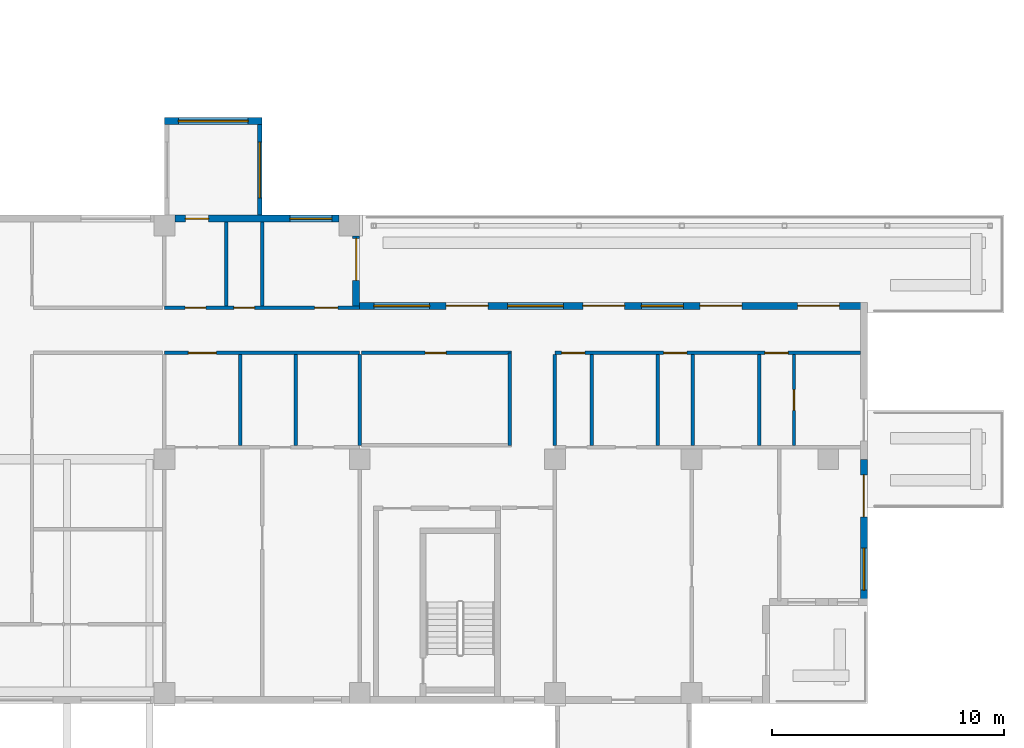
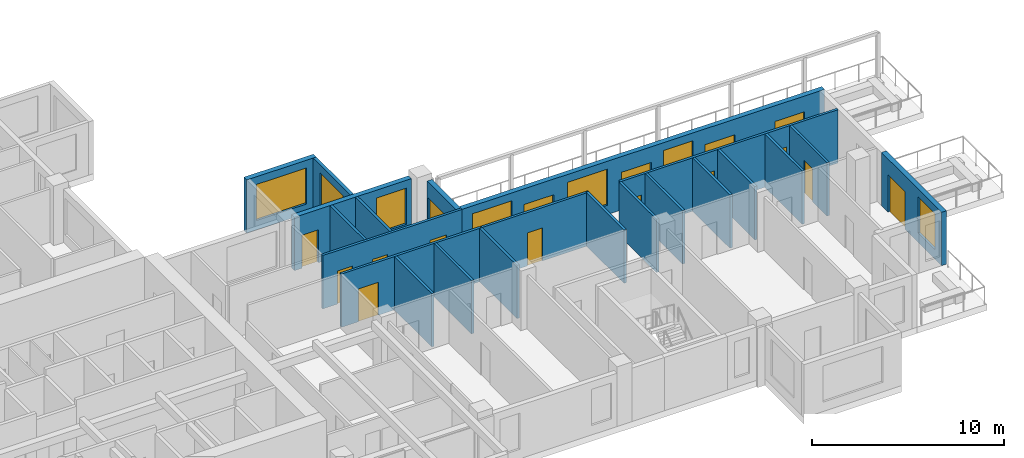
# One storey, part 7 of 15: 22 walls, 16 doors, 7 windows, 23 openings.
"""IFC4 building model written with IfcOpenShell, lengths in metres."""

from ifc_helpers import new_model, si_unit, direction, frame, frame_2d, origin, place, context, subcontext, project, spatial, rectangle, extrude, source, transform, mapped, material, layer, layer_set, type_object, element, fill, save


model = new_model("IFC4")

# Units and contexts
model_context = context("Model", 3, precision=1e-05, world=origin(), true_north=direction((0.0, 1.0)))
body_context = subcontext(model_context, "Body", "Model", "MODEL_VIEW")
ifc_project = project(units=[si_unit("LENGTHUNIT", "METRE"), si_unit("AREAUNIT", "SQUARE_METRE"), si_unit("VOLUMEUNIT", "CUBIC_METRE"), si_unit("PLANEANGLEUNIT", "RADIAN"), si_unit("MASSUNIT", "GRAM", prefix="KILO")], contexts=[model_context])

# Site, building, storey
site_placement = place(None, origin())
site = spatial("IfcSite", under=ifc_project, at=site_placement, CompositionType="ELEMENT")
building_placement = place(site_placement, origin())
building = spatial("IfcBuilding", under=site, at=building_placement, Name="Aurelian Terraces", CompositionType="ELEMENT")
storey_placement = place(building_placement, frame((0.0, 0.0, 177.8)))
storey = spatial("IfcBuildingStorey", under=building, at=storey_placement, Name="L38", CompositionType="ELEMENT", Elevation=177.8)

# Wall, opening, window
ifc_material_1 = material(Name="Concrete fc' 40 MPa", Category="concrete")
ifc_layer_1 = layer(ifc_material_1, 0.3)
ifc_layer_set_1 = layer_set([ifc_layer_1], Name="BOX BEARING WALL 300")
wall_type_1 = type_object("IfcWallType", Name="BOX BEARING WALL 300", PredefinedType="SOLIDWALL", material=ifc_layer_set_1)
wall_1_placement = place(storey_placement, frame((33.6, 25.05, 0.0), z_axis=(0.0, 0.0, 1.0), x_axis=(-1.0, 0.0, 0.0)))
wall_1 = element("IfcWall", 1, at=wall_1_placement, inside=storey, type_object=wall_type_1, Name="Box wall L38 J52", PredefinedType="SOLIDWALL", context=body_context, shape_type="SweptSolid", body=[
    extrude(rectangle(XDim=4.2, YDim=0.3, at=frame_2d((2.1, 0.0))), origin(), (0.0, 0.0, 1.0), 3.39),
])
shared_shape_1 = source(origin(), body_context, "Body", "SweptSolid", [
    extrude(rectangle(XDim=3.0, YDim=2.3, at=frame_2d((1.5, 1.15))), frame((0.0, 0.16, 0.0), z_axis=(0.0, -1.0, 0.0), x_axis=(1.0, 0.0, 0.0)), (0.0, 0.0, 1.0), 0.32),
])
opening_1_placement = place(wall_1_placement, frame((0.6, 0.0, 0.6)))
opening_1 = element("IfcOpeningElement", 2, at=opening_1_placement, cuts=wall_1, Name="Opening W3023", PredefinedType="OPENING", context=body_context, shape_type="MappedRepresentation", body=[
    mapped(shared_shape_1, transform((0.0, 0.0, 0.0), scale=1.0)),
])
ifc_material_2 = material(Name="Clear glazing", Category="glass")
window_type_1 = type_object("IfcWindowType", Name="W-3000x2300", PartitioningType="SINGLE_PANEL", PredefinedType="WINDOW", material=ifc_material_2)
shared_shape_2 = source(origin(), body_context, "Body", "SweptSolid", [
    extrude(rectangle(XDim=3.0, YDim=2.3, at=frame_2d((1.5, 1.15))), frame((0.0, 0.03, 0.0), z_axis=(0.0, -1.0, 0.0), x_axis=(1.0, 0.0, 0.0)), (0.0, 0.0, 1.0), 0.06),
])
window_1_placement = place(opening_1_placement, origin())
window_1 = element("IfcWindow", 3, at=window_1_placement, inside=storey, type_object=window_type_1, Name="Window L38 J52-F1", OverallHeight=2.3, OverallWidth=3.0, PartitioningType="SINGLE_PANEL", PredefinedType="WINDOW", context=body_context, shape_type="MappedRepresentation", body=[
    mapped(shared_shape_2, transform((0.0, 0.0, 0.0), scale=1.0)),
])
fill(opening_1, window_1)

# Wall, openings, door, window
ifc_material_3 = material(Name="Terracotta rainscreen cladding", Category="masonry")
ifc_layer_2 = layer(ifc_material_3, 0.3)
ifc_layer_set_2 = layer_set([ifc_layer_2], Name="EW-300")
wall_type_2 = type_object("IfcWallType", Name="EW-300", PredefinedType="STANDARD", material=ifc_layer_set_2)
wall_2_placement = place(storey_placement, frame((59.49, 4.2, 0.0), z_axis=(0.0, 0.0, 1.0), x_axis=(0.0, 1.0, 0.0)))
wall_2 = element("IfcWall", 4, at=wall_2_placement, inside=storey, type_object=wall_type_2, Name="External wall L38 F04.12", PredefinedType="STANDARD", context=body_context, shape_type="SweptSolid", body=[
    extrude(rectangle(XDim=6.3, YDim=0.3, at=frame_2d((3.15, 0.0))), origin(), (0.0, 0.0, 1.0), 3.4),
])
shared_shape_3 = source(origin(), body_context, "Body", "SweptSolid", [
    extrude(rectangle(XDim=1.8, YDim=2.3, at=frame_2d((0.9, 1.15))), frame((0.0, 0.16, 0.0), z_axis=(0.0, -1.0, 0.0), x_axis=(1.0, 0.0, 0.0)), (0.0, 0.0, 1.0), 0.32),
])
opening_2_placement = place(wall_2_placement, frame((0.675, 0.0, 0.6)))
opening_2 = element("IfcOpeningElement", 5, at=opening_2_placement, cuts=wall_2, Name="Opening W1823", PredefinedType="OPENING", context=body_context, shape_type="MappedRepresentation", body=[
    mapped(shared_shape_3, transform((0.0, 0.0, 0.0), scale=1.0)),
])
shared_shape_4 = source(origin(), body_context, "Body", "SweptSolid", [
    extrude(rectangle(XDim=1.8, YDim=2.4, at=frame_2d((0.9, 1.2))), frame((0.0, 0.16, 0.0), z_axis=(0.0, -1.0, 0.0), x_axis=(1.0, 0.0, 0.0)), (0.0, 0.0, 1.0), 0.32),
])
opening_3_placement = place(wall_2_placement, frame((3.825, 0.0, 0.0)))
opening_3 = element("IfcOpeningElement", 6, at=opening_3_placement, cuts=wall_2, Name="Opening 83803", PredefinedType="OPENING", context=body_context, shape_type="MappedRepresentation", body=[
    mapped(shared_shape_4, transform((0.0, 0.0, 0.0), scale=1.0)),
])
door_type_1 = type_object("IfcDoorType", Name="BD-1800x2400", OperationType="SLIDING_TO_LEFT", PredefinedType="DOOR", material=ifc_material_2)
shared_shape_5 = source(origin(), body_context, "Body", "SweptSolid", [
    extrude(rectangle(XDim=1.8, YDim=2.4, at=frame_2d((0.9, 1.2))), frame((0.0, 0.025, 0.0), z_axis=(0.0, -1.0, 0.0), x_axis=(1.0, 0.0, 0.0)), (0.0, 0.0, 1.0), 0.05),
])
door_1_placement = place(opening_3_placement, origin())
door_1 = element("IfcDoor", 7, at=door_1_placement, inside=storey, type_object=door_type_1, Name="Terrace door L38 L38-F04-12.2", OperationType="SLIDING_TO_LEFT", OverallHeight=2.4, OverallWidth=1.8, PredefinedType="DOOR", context=body_context, shape_type="MappedRepresentation", body=[
    mapped(shared_shape_5, transform((0.0, 0.0, 0.0), scale=1.0)),
])
fill(opening_3, door_1)
window_type_2 = type_object("IfcWindowType", Name="W-1800x2300", PartitioningType="SINGLE_PANEL", PredefinedType="WINDOW", material=ifc_material_2)
shared_shape_6 = source(origin(), body_context, "Body", "SweptSolid", [
    extrude(rectangle(XDim=1.8, YDim=2.3, at=frame_2d((0.9, 1.15))), frame((0.0, 0.03, 0.0), z_axis=(0.0, -1.0, 0.0), x_axis=(1.0, 0.0, 0.0)), (0.0, 0.0, 1.0), 0.06),
])
window_2_placement = place(opening_2_placement, origin())
window_2 = element("IfcWindow", 8, at=window_2_placement, inside=storey, type_object=window_type_2, Name="Window L38 L38-F04-12-0", OverallHeight=2.3, OverallWidth=1.8, PartitioningType="SINGLE_PANEL", PredefinedType="WINDOW", context=body_context, shape_type="MappedRepresentation", body=[
    mapped(shared_shape_6, transform((0.0, 0.0, 0.0), scale=1.0)),
])
fill(opening_2, window_2)

# Wall, openings, windows, doors
wall_3_placement = place(storey_placement, frame((59.64, 17.1, 0.0), z_axis=(0.0, 0.0, 1.0), x_axis=(-1.0, 0.0, 0.0)))
wall_3 = element("IfcWall", 9, at=wall_3_placement, inside=storey, type_object=wall_type_2, Name="External wall L38 F05.14", PredefinedType="STANDARD", context=body_context, shape_type="SweptSolid", body=[
    extrude(rectangle(XDim=21.84, YDim=0.3, at=frame_2d((10.92, 0.0))), origin(), (0.0, 0.0, 1.0), 3.4),
])
opening_4_placement = place(wall_3_placement, frame((1.2, 0.0, 0.0)))
opening_4 = element("IfcOpeningElement", 10, at=opening_4_placement, cuts=wall_3, Name="Opening 83805", PredefinedType="OPENING", context=body_context, shape_type="MappedRepresentation", body=[
    mapped(shared_shape_4, transform((0.0, 0.0, 0.0), scale=1.0)),
])
opening_5_placement = place(wall_3_placement, frame((5.4, 0.0, 0.0)))
opening_5 = element("IfcOpeningElement", 11, at=opening_5_placement, cuts=wall_3, Name="Opening 83806", PredefinedType="OPENING", context=body_context, shape_type="MappedRepresentation", body=[
    mapped(shared_shape_4, transform((0.0, 0.0, 0.0), scale=1.0)),
])
opening_6_placement = place(wall_3_placement, frame((10.44, 0.0, 0.0)))
opening_6 = element("IfcOpeningElement", 12, at=opening_6_placement, cuts=wall_3, Name="Opening 83807", PredefinedType="OPENING", context=body_context, shape_type="MappedRepresentation", body=[
    mapped(shared_shape_4, transform((0.0, 0.0, 0.0), scale=1.0)),
])
opening_7_placement = place(wall_3_placement, frame((16.32, 0.0, 0.0)))
opening_7 = element("IfcOpeningElement", 13, at=opening_7_placement, cuts=wall_3, Name="Opening 83808", PredefinedType="OPENING", context=body_context, shape_type="MappedRepresentation", body=[
    mapped(shared_shape_4, transform((0.0, 0.0, 0.0), scale=1.0)),
])
opening_8_placement = place(wall_3_placement, frame((7.92, 0.0, 0.6)))
opening_8 = element("IfcOpeningElement", 14, at=opening_8_placement, cuts=wall_3, Name="Opening W1823", PredefinedType="OPENING", context=body_context, shape_type="MappedRepresentation", body=[
    mapped(shared_shape_3, transform((0.0, 0.0, 0.0), scale=1.0)),
])
opening_9_placement = place(wall_3_placement, frame((13.08, 0.0, 0.6)))
opening_9 = element("IfcOpeningElement", 15, at=opening_9_placement, cuts=wall_3, Name="Opening W2423", PredefinedType="OPENING", context=body_context, shape_type="SweptSolid", body=[
    extrude(rectangle(XDim=2.4, YDim=2.3, at=frame_2d((1.2, 1.15))), frame((0.0, 0.16, 0.0), z_axis=(0.0, -1.0, 0.0), x_axis=(1.0, 0.0, 0.0)), (0.0, 0.0, 1.0), 0.32),
])
shared_shape_7 = source(origin(), body_context, "Body", "SweptSolid", [
    extrude(rectangle(XDim=2.4, YDim=2.3, at=frame_2d((1.2, 1.15))), frame((0.0, 0.16, 0.0), z_axis=(0.0, -1.0, 0.0), x_axis=(1.0, 0.0, 0.0)), (0.0, 0.0, 1.0), 0.32),
])
opening_10_placement = place(wall_3_placement, frame((18.83, 0.0, 0.6)))
opening_10 = element("IfcOpeningElement", 16, at=opening_10_placement, cuts=wall_3, Name="Opening W2423", PredefinedType="OPENING", context=body_context, shape_type="MappedRepresentation", body=[
    mapped(shared_shape_7, transform((0.0, 0.0, 0.0), scale=1.0)),
])
window_type_3 = type_object("IfcWindowType", Name="W-2400x2300", PartitioningType="SINGLE_PANEL", PredefinedType="WINDOW", material=ifc_material_2)
window_3_placement = place(opening_9_placement, origin())
window_3 = element("IfcWindow", 17, at=window_3_placement, inside=storey, type_object=window_type_3, Name="Window L38 L38-F05-14-G0-123", OverallHeight=2.3, OverallWidth=2.4, PartitioningType="SINGLE_PANEL", PredefinedType="WINDOW", context=body_context, shape_type="SweptSolid", body=[
    extrude(rectangle(XDim=2.4, YDim=2.3, at=frame_2d((1.2, 1.15))), frame((0.0, 0.03, 0.0), z_axis=(0.0, -1.0, 0.0), x_axis=(1.0, 0.0, 0.0)), (0.0, 0.0, 1.0), 0.06),
])
fill(opening_9, window_3)
door_2_placement = place(opening_4_placement, origin())
door_2 = element("IfcDoor", 18, at=door_2_placement, inside=storey, type_object=door_type_1, Name="Terrace door L38 L38-F05-14.1", OperationType="SLIDING_TO_LEFT", OverallHeight=2.4, OverallWidth=1.8, PredefinedType="DOOR", context=body_context, shape_type="MappedRepresentation", body=[
    mapped(shared_shape_5, transform((0.0, 0.0, 0.0), scale=1.0)),
])
fill(opening_4, door_2)
door_3_placement = place(opening_5_placement, origin())
door_3 = element("IfcDoor", 19, at=door_3_placement, inside=storey, type_object=door_type_1, Name="Terrace door L38 L38-F05-14.2", OperationType="SLIDING_TO_LEFT", OverallHeight=2.4, OverallWidth=1.8, PredefinedType="DOOR", context=body_context, shape_type="MappedRepresentation", body=[
    mapped(shared_shape_5, transform((0.0, 0.0, 0.0), scale=1.0)),
])
fill(opening_5, door_3)
door_4_placement = place(opening_6_placement, origin())
door_4 = element("IfcDoor", 20, at=door_4_placement, inside=storey, type_object=door_type_1, Name="Terrace door L38 L38-F05-14.3", OperationType="SLIDING_TO_LEFT", OverallHeight=2.4, OverallWidth=1.8, PredefinedType="DOOR", context=body_context, shape_type="MappedRepresentation", body=[
    mapped(shared_shape_5, transform((0.0, 0.0, 0.0), scale=1.0)),
])
fill(opening_6, door_4)
door_5_placement = place(opening_7_placement, origin())
door_5 = element("IfcDoor", 21, at=door_5_placement, inside=storey, type_object=door_type_1, Name="Terrace door L38 L38-F05-14.4", OperationType="SLIDING_TO_LEFT", OverallHeight=2.4, OverallWidth=1.8, PredefinedType="DOOR", context=body_context, shape_type="MappedRepresentation", body=[
    mapped(shared_shape_5, transform((0.0, 0.0, 0.0), scale=1.0)),
])
fill(opening_7, door_5)
window_4_placement = place(opening_8_placement, origin())
window_4 = element("IfcWindow", 22, at=window_4_placement, inside=storey, type_object=window_type_2, Name="Window L38 L38-F05-14-G0-73", OverallHeight=2.3, OverallWidth=1.8, PartitioningType="SINGLE_PANEL", PredefinedType="WINDOW", context=body_context, shape_type="MappedRepresentation", body=[
    mapped(shared_shape_6, transform((0.0, 0.0, 0.0), scale=1.0)),
])
fill(opening_8, window_4)
shared_shape_8 = source(origin(), body_context, "Body", "SweptSolid", [
    extrude(rectangle(XDim=2.4, YDim=2.3, at=frame_2d((1.2, 1.15))), frame((0.0, 0.03, 0.0), z_axis=(0.0, -1.0, 0.0), x_axis=(1.0, 0.0, 0.0)), (0.0, 0.0, 1.0), 0.06),
])
window_5_placement = place(opening_10_placement, origin())
window_5 = element("IfcWindow", 23, at=window_5_placement, inside=storey, type_object=window_type_3, Name="Window L38 L38-F05-14-G0-182", OverallHeight=2.3, OverallWidth=2.4, PartitioningType="SINGLE_PANEL", PredefinedType="WINDOW", context=body_context, shape_type="MappedRepresentation", body=[
    mapped(shared_shape_8, transform((0.0, 0.0, 0.0), scale=1.0)),
])
fill(opening_10, window_5)

# Wall, opening, door
wall_4_placement = place(storey_placement, frame((37.65, 17.1, 0.0), z_axis=(0.0, 0.0, 1.0), x_axis=(0.0, 1.0, 0.0)))
wall_4 = element("IfcWall", 24, at=wall_4_placement, inside=storey, type_object=wall_type_2, Name="External wall L38 F06.15", PredefinedType="STANDARD", context=body_context, shape_type="SweptSolid", body=[
    extrude(rectangle(XDim=3.0, YDim=0.3, at=frame_2d((1.5, 0.0))), origin(), (0.0, 0.0, 1.0), 3.4),
])
opening_11_placement = place(wall_4_placement, frame((1.1, 0.0, 0.0)))
opening_11 = element("IfcOpeningElement", 25, at=opening_11_placement, cuts=wall_4, Name="Opening 83809", PredefinedType="OPENING", context=body_context, shape_type="MappedRepresentation", body=[
    mapped(shared_shape_4, transform((0.0, 0.0, 0.0), scale=1.0)),
])
door_6_placement = place(opening_11_placement, origin())
door_6 = element("IfcDoor", 26, at=door_6_placement, inside=storey, type_object=door_type_1, Name="Terrace door L38 L38-F06-15.1", OperationType="SLIDING_TO_LEFT", OverallHeight=2.4, OverallWidth=1.8, PredefinedType="DOOR", context=body_context, shape_type="MappedRepresentation", body=[
    mapped(shared_shape_5, transform((0.0, 0.0, 0.0), scale=1.0)),
])
fill(opening_11, door_6)

# Wall, openings, window, door
wall_5_placement = place(storey_placement, frame((36.9, 20.85, 0.0), z_axis=(0.0, 0.0, 1.0), x_axis=(-1.0, 0.0, 0.0)))
wall_5 = element("IfcWall", 27, at=wall_5_placement, inside=storey, type_object=wall_type_2, Name="External wall L38 F07.16", PredefinedType="STANDARD", context=body_context, shape_type="SweptSolid", body=[
    extrude(rectangle(XDim=7.05, YDim=0.3, at=frame_2d((3.525, 0.0))), origin(), (0.0, 0.0, 1.0), 3.4),
])
opening_12_placement = place(wall_5_placement, frame((0.3, 0.0, 0.6)))
opening_12 = element("IfcOpeningElement", 28, at=opening_12_placement, cuts=wall_5, Name="Opening W1823", PredefinedType="OPENING", context=body_context, shape_type="MappedRepresentation", body=[
    mapped(shared_shape_3, transform((0.0, 0.0, 0.0), scale=1.0)),
])
shared_shape_9 = source(origin(), body_context, "Body", "SweptSolid", [
    extrude(rectangle(XDim=1.0, YDim=2.1, at=frame_2d((0.5, 1.05))), frame((0.0, 0.16, 0.0), z_axis=(0.0, -1.0, 0.0), x_axis=(1.0, 0.0, 0.0)), (0.0, 0.0, 1.0), 0.32),
])
opening_13_placement = place(wall_5_placement, frame((5.6, 0.0, 0.0)))
opening_13 = element("IfcOpeningElement", 29, at=opening_13_placement, cuts=wall_5, Name="Opening 838002", PredefinedType="OPENING", context=body_context, shape_type="MappedRepresentation", body=[
    mapped(shared_shape_9, transform((0.0, 0.0, 0.0), scale=1.0)),
])
window_6_placement = place(opening_12_placement, origin())
window_6 = element("IfcWindow", 30, at=window_6_placement, inside=storey, type_object=window_type_2, Name="Window L38 L38-F07-16-0", OverallHeight=2.3, OverallWidth=1.8, PartitioningType="SINGLE_PANEL", PredefinedType="WINDOW", context=body_context, shape_type="MappedRepresentation", body=[
    mapped(shared_shape_6, transform((0.0, 0.0, 0.0), scale=1.0)),
])
fill(opening_12, window_6)
ifc_material_4 = material(Name="Timber door leaf", Category="wood")
door_type_2 = type_object("IfcDoorType", Name="Room door 1000x2100 left", OperationType="SINGLE_SWING_LEFT", PredefinedType="DOOR", material=ifc_material_4)
shared_shape_10 = source(origin(), body_context, "Body", "SweptSolid", [
    extrude(rectangle(XDim=1.0, YDim=2.1, at=frame_2d((0.5, 1.05))), frame((0.0, 0.025, 0.0), z_axis=(0.0, -1.0, 0.0), x_axis=(1.0, 0.0, 0.0)), (0.0, 0.0, 1.0), 0.05),
])
door_7_placement = place(opening_13_placement, origin())
door_7 = element("IfcDoor", 31, at=door_7_placement, inside=storey, type_object=door_type_2, Name="Door 838002", OperationType="SINGLE_SWING_LEFT", OverallHeight=2.1, OverallWidth=1.0, PredefinedType="DOOR", context=body_context, shape_type="MappedRepresentation", body=[
    mapped(shared_shape_10, transform((0.0, 0.0, 0.0), scale=1.0)),
])
fill(opening_13, door_7)

# Walls
ifc_material_5 = material(Name="Gypsum board on steel studs", Category="steel")
ifc_layer_3 = layer(ifc_material_5, 0.15)
ifc_layer_set_3 = layer_set([ifc_layer_3], Name="Partition 150")
wall_type_3 = type_object("IfcWallType", Name="Partition 150", PredefinedType="PARTITIONING", material=ifc_layer_set_3)
wall_6_placement = place(storey_placement, frame((44.25, 11.1, 0.0), z_axis=(0.0, 0.0, 1.0), x_axis=(0.0, 1.0, 0.0)))
element("IfcWall", 32, at=wall_6_placement, inside=storey, type_object=wall_type_3, Name="Partition", PredefinedType="PARTITIONING", context=body_context, shape_type="SweptSolid", body=[
    extrude(rectangle(XDim=3.975, YDim=0.15, at=frame_2d((1.9875, 0.0))), origin(), (0.0, 0.0, 1.0), 3.4),
])
wall_7_placement = place(storey_placement, frame((32.6603, 11.1, 0.0), z_axis=(0.0, 0.0, 1.0), x_axis=(0.0, 1.0, 0.0)))
element("IfcWall", 33, at=wall_7_placement, inside=storey, type_object=wall_type_3, Name="Partition", PredefinedType="PARTITIONING", context=body_context, shape_type="SweptSolid", body=[
    extrude(rectangle(XDim=3.9, YDim=0.15, at=frame_2d((1.95, 0.0))), origin(), (0.0, 0.0, 1.0), 3.4),
])

# Wall, opening, window
ifc_layer_4 = layer(ifc_material_1, 0.2)
ifc_layer_set_4 = layer_set([ifc_layer_4], Name="BOX BEARING WALL 200")
wall_type_4 = type_object("IfcWallType", Name="BOX BEARING WALL 200", PredefinedType="SOLIDWALL", material=ifc_layer_set_4)
shared_shape_11 = source(origin(), body_context, "Body", "SweptSolid", [
    extrude(rectangle(XDim=3.9, YDim=0.2, at=frame_2d((1.95, 0.0))), origin(), (0.0, 0.0, 1.0), 3.39),
])
wall_8_placement = place(storey_placement, frame((33.5, 21.0, 0.0), z_axis=(0.0, 0.0, 1.0), x_axis=(0.0, 1.0, 0.0)))
wall_8 = element("IfcWall", 34, at=wall_8_placement, inside=storey, type_object=wall_type_4, Name="Box return L38 J52.1", PredefinedType="SOLIDWALL", context=body_context, shape_type="MappedRepresentation", body=[
    mapped(shared_shape_11, transform((0.0, 0.0, 0.0), scale=1.0)),
])
shared_shape_12 = source(origin(), body_context, "Body", "SweptSolid", [
    extrude(rectangle(XDim=2.4, YDim=2.3, at=frame_2d((1.2, 1.15))), frame((0.0, 0.11, 0.0), z_axis=(0.0, -1.0, 0.0), x_axis=(1.0, 0.0, 0.0)), (0.0, 0.0, 1.0), 0.22),
])
opening_14_placement = place(wall_8_placement, frame((0.75, 0.0, 0.6)))
opening_14 = element("IfcOpeningElement", 35, at=opening_14_placement, cuts=wall_8, Name="Opening W2423", PredefinedType="OPENING", context=body_context, shape_type="MappedRepresentation", body=[
    mapped(shared_shape_12, transform((0.0, 0.0, 0.0), scale=1.0)),
])
window_7_placement = place(opening_14_placement, origin())
window_7 = element("IfcWindow", 36, at=window_7_placement, inside=storey, type_object=window_type_3, Name="Window L38 J52-S1", OverallHeight=2.3, OverallWidth=2.4, PartitioningType="SINGLE_PANEL", PredefinedType="WINDOW", context=body_context, shape_type="MappedRepresentation", body=[
    mapped(shared_shape_8, transform((0.0, 0.0, 0.0), scale=1.0)),
])
fill(opening_14, window_7)

# Wall, opening, door
ifc_layer_5 = layer(ifc_material_5, 0.15)
ifc_layer_set_5 = layer_set([ifc_layer_5], Name="Fire partition 150")
wall_type_5 = type_object("IfcWallType", Name="Fire partition 150", PredefinedType="PARTITIONING", material=ifc_layer_set_5)
shared_shape_13 = source(origin(), body_context, "Body", "SweptSolid", [
    extrude(rectangle(XDim=6.45, YDim=0.15, at=frame_2d((3.225, 0.0))), origin(), (0.0, 0.0, 1.0), 3.4),
])
wall_9_placement = place(storey_placement, frame((44.325, 15.075, 0.0), z_axis=(0.0, 0.0, 1.0), x_axis=(-1.0, 0.0, 0.0)))
wall_9 = element("IfcWall", 37, at=wall_9_placement, inside=storey, type_object=wall_type_5, Name="Corridor wall", PredefinedType="PARTITIONING", context=body_context, shape_type="MappedRepresentation", body=[
    mapped(shared_shape_13, transform((0.0, 0.0, 0.0), scale=1.0)),
])
shared_shape_14 = source(origin(), body_context, "Body", "SweptSolid", [
    extrude(rectangle(XDim=0.9, YDim=2.1, at=frame_2d((0.45, 1.05))), frame((0.0, 0.085, 0.0), z_axis=(0.0, -1.0, 0.0), x_axis=(1.0, 0.0, 0.0)), (0.0, 0.0, 1.0), 0.17),
])
opening_15_placement = place(wall_9_placement, frame((2.8125, 0.0, 0.0)))
opening_15 = element("IfcOpeningElement", 38, at=opening_15_placement, cuts=wall_9, Name="Opening 738005", PredefinedType="OPENING", context=body_context, shape_type="MappedRepresentation", body=[
    mapped(shared_shape_14, transform((0.0, 0.0, 0.0), scale=1.0)),
])
door_type_3 = type_object("IfcDoorType", Name="Room door 900x2100 right", OperationType="SINGLE_SWING_RIGHT", PredefinedType="DOOR", material=ifc_material_4)
shared_shape_15 = source(origin(), body_context, "Body", "SweptSolid", [
    extrude(rectangle(XDim=0.9, YDim=2.1, at=frame_2d((0.45, 1.05))), frame((0.0, 0.025, 0.0), z_axis=(0.0, -1.0, 0.0), x_axis=(1.0, 0.0, 0.0)), (0.0, 0.0, 1.0), 0.05),
])
door_8_placement = place(opening_15_placement, origin())
door_8 = element("IfcDoor", 39, at=door_8_placement, inside=storey, type_object=door_type_3, Name="Door 738005", OperationType="SINGLE_SWING_RIGHT", OverallHeight=2.1, OverallWidth=0.9, PredefinedType="DOOR", context=body_context, shape_type="MappedRepresentation", body=[
    mapped(shared_shape_15, transform((0.0, 0.0, 0.0), scale=1.0)),
])
fill(opening_15, door_8)

# Walls
shared_shape_16 = source(origin(), body_context, "Body", "SweptSolid", [
    extrude(rectangle(XDim=3.9, YDim=0.15, at=frame_2d((1.95, 0.0))), origin(), (0.0, 0.0, 1.0), 3.4),
])
wall_10_placement = place(storey_placement, frame((35.0493, 11.1, 0.0), z_axis=(0.0, 0.0, 1.0), x_axis=(0.0, 1.0, 0.0)))
element("IfcWall", 40, at=wall_10_placement, inside=storey, type_object=wall_type_3, Name="Partition", PredefinedType="PARTITIONING", context=body_context, shape_type="MappedRepresentation", body=[
    mapped(shared_shape_16, transform((0.0, 0.0, 0.0), scale=1.0)),
])
wall_11_placement = place(storey_placement, frame((37.8, 11.1, 0.0), z_axis=(0.0, 0.0, 1.0), x_axis=(0.0, 1.0, 0.0)))
element("IfcWall", 41, at=wall_11_placement, inside=storey, type_object=wall_type_5, Name="Party wall", PredefinedType="PARTITIONING", context=body_context, shape_type="MappedRepresentation", body=[
    mapped(shared_shape_16, transform((0.0, 0.0, 0.0), scale=1.0)),
])
for number, where, z_axis, x_axis, name in (
    (42, (47.775, 11.1, 0.0), (0.0, 0.0, 1.0), (0.0, 1.0, 0.0), "Partition"),
    (43, (50.63, 11.1, 0.0), (0.0, 0.0, 1.0), (0.0, 1.0, 0.0), "Partition"),
    (44, (52.13, 11.1, 0.0), (0.0, 0.0, 1.0), (0.0, 1.0, 0.0), "Partition"),
    (45, (54.985, 11.1, 0.0), (0.0, 0.0, 1.0), (0.0, 1.0, 0.0), "Partition"),
):
    element("IfcWall", number, at=place(storey_placement, frame(where, z_axis=z_axis, x_axis=x_axis)), inside=storey, type_object=wall_type_3, Name=name, PredefinedType="PARTITIONING", context=body_context, shape_type="MappedRepresentation", body=[
        mapped(shared_shape_16, transform((0.0, 0.0, 0.0), scale=1.0)),
    ])

# Wall, opening, door
wall_12_placement = place(storey_placement, frame((56.485, 11.1, 0.0), z_axis=(0.0, 0.0, 1.0), x_axis=(0.0, 1.0, 0.0)))
wall_12 = element("IfcWall", 46, at=wall_12_placement, inside=storey, type_object=wall_type_3, Name="Partition", PredefinedType="PARTITIONING", context=body_context, shape_type="MappedRepresentation", body=[
    mapped(shared_shape_16, transform((0.0, 0.0, 0.0), scale=1.0)),
])
opening_16_placement = place(wall_12_placement, frame((1.5, 0.0, 0.0)))
opening_16 = element("IfcOpeningElement", 47, at=opening_16_placement, cuts=wall_12, Name="Opening 738044", PredefinedType="OPENING", context=body_context, shape_type="MappedRepresentation", body=[
    mapped(shared_shape_14, transform((0.0, 0.0, 0.0), scale=1.0)),
])
door_type_4 = type_object("IfcDoorType", Name="Room door 900x2100 left", OperationType="SINGLE_SWING_LEFT", PredefinedType="DOOR", material=ifc_material_4)
door_9_placement = place(opening_16_placement, origin())
door_9 = element("IfcDoor", 48, at=door_9_placement, inside=storey, type_object=door_type_4, Name="Door 738044", OperationType="SINGLE_SWING_LEFT", OverallHeight=2.1, OverallWidth=0.9, PredefinedType="DOOR", context=body_context, shape_type="MappedRepresentation", body=[
    mapped(shared_shape_15, transform((0.0, 0.0, 0.0), scale=1.0)),
])
fill(opening_16, door_9)

# Walls
wall_13_placement = place(storey_placement, frame((46.2, 11.1, 0.0), z_axis=(0.0, 0.0, 1.0), x_axis=(0.0, 1.0, 0.0)))
element("IfcWall", 49, at=wall_13_placement, inside=storey, type_object=wall_type_5, Name="Party wall", PredefinedType="PARTITIONING", context=body_context, shape_type="MappedRepresentation", body=[
    mapped(shared_shape_16, transform((0.0, 0.0, 0.0), scale=1.0)),
])
shared_shape_17 = source(origin(), body_context, "Body", "SweptSolid", [
    extrude(rectangle(XDim=3.6, YDim=0.15, at=frame_2d((1.8, 0.0))), origin(), (0.0, 0.0, 1.0), 3.4),
])
wall_14_placement = place(storey_placement, frame((32.067, 20.7, 0.0), z_axis=(0.0, 0.0, 1.0), x_axis=(0.0, -1.0, 0.0)))
element("IfcWall", 50, at=wall_14_placement, inside=storey, type_object=wall_type_3, Name="Partition", PredefinedType="PARTITIONING", context=body_context, shape_type="MappedRepresentation", body=[
    mapped(shared_shape_17, transform((0.0, 0.0, 0.0), scale=1.0)),
])
wall_15_placement = place(storey_placement, frame((33.6, 17.1, 0.0), z_axis=(0.0, 0.0, 1.0), x_axis=(0.0, 1.0, 0.0)))
element("IfcWall", 51, at=wall_15_placement, inside=storey, type_object=wall_type_5, Name="Party wall", PredefinedType="PARTITIONING", context=body_context, shape_type="MappedRepresentation", body=[
    mapped(shared_shape_17, transform((0.0, 0.0, 0.0), scale=1.0)),
])

# Wall, opening, door
shared_shape_18 = source(origin(), body_context, "Body", "SweptSolid", [
    extrude(rectangle(XDim=8.4, YDim=0.15, at=frame_2d((4.2, 0.0))), origin(), (0.0, 0.0, 1.0), 3.4),
])
wall_16_placement = place(storey_placement, frame((37.8, 15.075, 0.0), z_axis=(0.0, 0.0, 1.0), x_axis=(-1.0, 0.0, 0.0)))
wall_16 = element("IfcWall", 52, at=wall_16_placement, inside=storey, type_object=wall_type_5, Name="Corridor wall", PredefinedType="PARTITIONING", context=body_context, shape_type="MappedRepresentation", body=[
    mapped(shared_shape_18, transform((0.0, 0.0, 0.0), scale=1.0)),
])
shared_shape_19 = source(origin(), body_context, "Body", "SweptSolid", [
    extrude(rectangle(XDim=1.2, YDim=2.1, at=frame_2d((0.6, 1.05))), frame((0.0, 0.085, 0.0), z_axis=(0.0, -1.0, 0.0), x_axis=(1.0, 0.0, 0.0)), (0.0, 0.0, 1.0), 0.17),
])
opening_17_placement = place(wall_16_placement, frame((6.1698, 0.0, 0.0)))
opening_17 = element("IfcOpeningElement", 53, at=opening_17_placement, cuts=wall_16, Name="Opening 738007", PredefinedType="OPENING", context=body_context, shape_type="MappedRepresentation", body=[
    mapped(shared_shape_19, transform((0.0, 0.0, 0.0), scale=1.0)),
])
ifc_material_6 = material(Name="Steel door leaf", Category="steel")
door_type_5 = type_object("IfcDoorType", Name="Entrance fire door 1200x2100 left", OperationType="SINGLE_SWING_LEFT", PredefinedType="DOOR", material=ifc_material_6)
shared_shape_20 = source(origin(), body_context, "Body", "SweptSolid", [
    extrude(rectangle(XDim=1.2, YDim=2.1, at=frame_2d((0.6, 1.05))), frame((0.0, 0.025, 0.0), z_axis=(0.0, -1.0, 0.0), x_axis=(1.0, 0.0, 0.0)), (0.0, 0.0, 1.0), 0.05),
])
door_10_placement = place(opening_17_placement, origin())
door_10 = element("IfcDoor", 54, at=door_10_placement, inside=storey, type_object=door_type_5, Name="Door 738007", OperationType="SINGLE_SWING_LEFT", OverallHeight=2.1, OverallWidth=1.2, PredefinedType="DOOR", context=body_context, shape_type="MappedRepresentation", body=[
    mapped(shared_shape_20, transform((0.0, 0.0, 0.0), scale=1.0)),
])
fill(opening_17, door_10)

# Wall, openings, doors
wall_17_placement = place(storey_placement, frame((29.4, 17.025, 0.0), z_axis=(0.0, 0.0, 1.0), x_axis=(1.0, 0.0, 0.0)))
wall_17 = element("IfcWall", 55, at=wall_17_placement, inside=storey, type_object=wall_type_5, Name="Corridor wall", PredefinedType="PARTITIONING", context=body_context, shape_type="MappedRepresentation", body=[
    mapped(shared_shape_18, transform((0.0, 0.0, 0.0), scale=1.0)),
])
opening_18_placement = place(wall_17_placement, frame((0.8835, 0.0, 0.0)))
opening_18 = element("IfcOpeningElement", 56, at=opening_18_placement, cuts=wall_17, Name="Opening 738019", PredefinedType="OPENING", context=body_context, shape_type="MappedRepresentation", body=[
    mapped(shared_shape_14, transform((0.0, 0.0, 0.0), scale=1.0)),
])
opening_19_placement = place(wall_17_placement, frame((2.9835, 0.0, 0.0)))
opening_19 = element("IfcOpeningElement", 57, at=opening_19_placement, cuts=wall_17, Name="Opening 738020", PredefinedType="OPENING", context=body_context, shape_type="MappedRepresentation", body=[
    mapped(shared_shape_14, transform((0.0, 0.0, 0.0), scale=1.0)),
])
shared_shape_21 = source(origin(), body_context, "Body", "SweptSolid", [
    extrude(rectangle(XDim=1.0, YDim=2.1, at=frame_2d((0.5, 1.05))), frame((0.0, 0.085, 0.0), z_axis=(0.0, -1.0, 0.0), x_axis=(1.0, 0.0, 0.0)), (0.0, 0.0, 1.0), 0.17),
])
opening_20_placement = place(wall_17_placement, frame((6.4625, 0.0, 0.0)))
opening_20 = element("IfcOpeningElement", 58, at=opening_20_placement, cuts=wall_17, Name="Opening 738021", PredefinedType="OPENING", context=body_context, shape_type="MappedRepresentation", body=[
    mapped(shared_shape_21, transform((0.0, 0.0, 0.0), scale=1.0)),
])
door_type_6 = type_object("IfcDoorType", Name="Entrance fire door 1000x2100 left", OperationType="SINGLE_SWING_LEFT", PredefinedType="DOOR", material=ifc_material_6)
door_11_placement = place(opening_20_placement, origin())
door_11 = element("IfcDoor", 59, at=door_11_placement, inside=storey, type_object=door_type_6, Name="Door 738021", OperationType="SINGLE_SWING_LEFT", OverallHeight=2.1, OverallWidth=1.0, PredefinedType="DOOR", context=body_context, shape_type="MappedRepresentation", body=[
    mapped(shared_shape_10, transform((0.0, 0.0, 0.0), scale=1.0)),
])
fill(opening_20, door_11)
door_type_7 = type_object("IfcDoorType", Name="Entrance fire door 900x2100 left", OperationType="SINGLE_SWING_LEFT", PredefinedType="DOOR", material=ifc_material_6)
door_12_placement = place(opening_18_placement, origin())
door_12 = element("IfcDoor", 60, at=door_12_placement, inside=storey, type_object=door_type_7, Name="Door 738019", OperationType="SINGLE_SWING_LEFT", OverallHeight=2.1, OverallWidth=0.9, PredefinedType="DOOR", context=body_context, shape_type="MappedRepresentation", body=[
    mapped(shared_shape_15, transform((0.0, 0.0, 0.0), scale=1.0)),
])
fill(opening_18, door_12)
door_type_8 = type_object("IfcDoorType", Name="Entrance fire door 900x2100 right", OperationType="SINGLE_SWING_RIGHT", PredefinedType="DOOR", material=ifc_material_6)
door_13_placement = place(opening_19_placement, origin())
door_13 = element("IfcDoor", 61, at=door_13_placement, inside=storey, type_object=door_type_8, Name="Door 738020", OperationType="SINGLE_SWING_RIGHT", OverallHeight=2.1, OverallWidth=0.9, PredefinedType="DOOR", context=body_context, shape_type="MappedRepresentation", body=[
    mapped(shared_shape_15, transform((0.0, 0.0, 0.0), scale=1.0)),
])
fill(opening_19, door_13)

shared_shape_22 = source(origin(), body_context, "Body", "SweptSolid", [
    extrude(rectangle(XDim=13.14, YDim=0.15, at=frame_2d((6.57, 0.0))), origin(), (0.0, 0.0, 1.0), 3.4),
])
wall_18_placement = place(storey_placement, frame((59.34, 15.075, 0.0), z_axis=(0.0, 0.0, 1.0), x_axis=(-1.0, 0.0, 0.0)))
wall_18 = element("IfcWall", 62, at=wall_18_placement, inside=storey, type_object=wall_type_5, Name="Corridor wall", PredefinedType="PARTITIONING", context=body_context, shape_type="MappedRepresentation", body=[
    mapped(shared_shape_22, transform((0.0, 0.0, 0.0), scale=1.0)),
])
opening_21_placement = place(wall_18_placement, frame((11.8525, 0.0, 0.0)))
opening_21 = element("IfcOpeningElement", 63, at=opening_21_placement, cuts=wall_18, Name="Opening 738013", PredefinedType="OPENING", context=body_context, shape_type="MappedRepresentation", body=[
    mapped(shared_shape_21, transform((0.0, 0.0, 0.0), scale=1.0)),
])
opening_22_placement = place(wall_18_placement, frame((7.46, 0.0, 0.0)))
opening_22 = element("IfcOpeningElement", 64, at=opening_22_placement, cuts=wall_18, Name="Opening 738016", PredefinedType="OPENING", context=body_context, shape_type="MappedRepresentation", body=[
    mapped(shared_shape_21, transform((0.0, 0.0, 0.0), scale=1.0)),
])
opening_23_placement = place(wall_18_placement, frame((3.105, 0.0, 0.0)))
opening_23 = element("IfcOpeningElement", 65, at=opening_23_placement, cuts=wall_18, Name="Opening 738018", PredefinedType="OPENING", context=body_context, shape_type="MappedRepresentation", body=[
    mapped(shared_shape_21, transform((0.0, 0.0, 0.0), scale=1.0)),
])
door_14_placement = place(opening_21_placement, origin())
door_14 = element("IfcDoor", 66, at=door_14_placement, inside=storey, type_object=door_type_6, Name="Door 738013", OperationType="SINGLE_SWING_LEFT", OverallHeight=2.1, OverallWidth=1.0, PredefinedType="DOOR", context=body_context, shape_type="MappedRepresentation", body=[
    mapped(shared_shape_10, transform((0.0, 0.0, 0.0), scale=1.0)),
])
fill(opening_21, door_14)
door_type_9 = type_object("IfcDoorType", Name="Entrance fire door 1000x2100 right", OperationType="SINGLE_SWING_RIGHT", PredefinedType="DOOR", material=ifc_material_6)
door_15_placement = place(opening_22_placement, origin())
door_15 = element("IfcDoor", 67, at=door_15_placement, inside=storey, type_object=door_type_9, Name="Door 738016", OperationType="SINGLE_SWING_RIGHT", OverallHeight=2.1, OverallWidth=1.0, PredefinedType="DOOR", context=body_context, shape_type="MappedRepresentation", body=[
    mapped(shared_shape_10, transform((0.0, 0.0, 0.0), scale=1.0)),
])
fill(opening_22, door_15)
door_16_placement = place(opening_23_placement, origin())
door_16 = element("IfcDoor", 68, at=door_16_placement, inside=storey, type_object=door_type_6, Name="Door 738018", OperationType="SINGLE_SWING_LEFT", OverallHeight=2.1, OverallWidth=1.0, PredefinedType="DOOR", context=body_context, shape_type="MappedRepresentation", body=[
    mapped(shared_shape_10, transform((0.0, 0.0, 0.0), scale=1.0)),
])
fill(opening_23, door_16)

save(model, "model.ifc")
